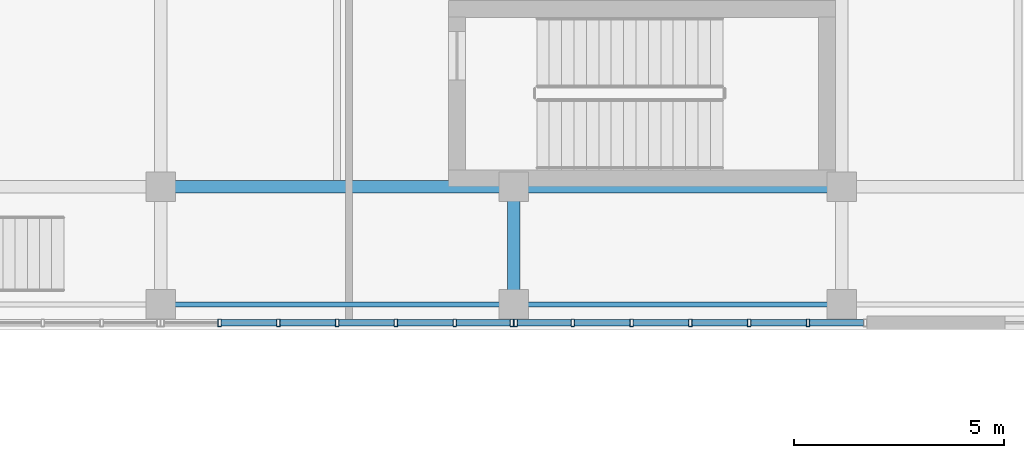
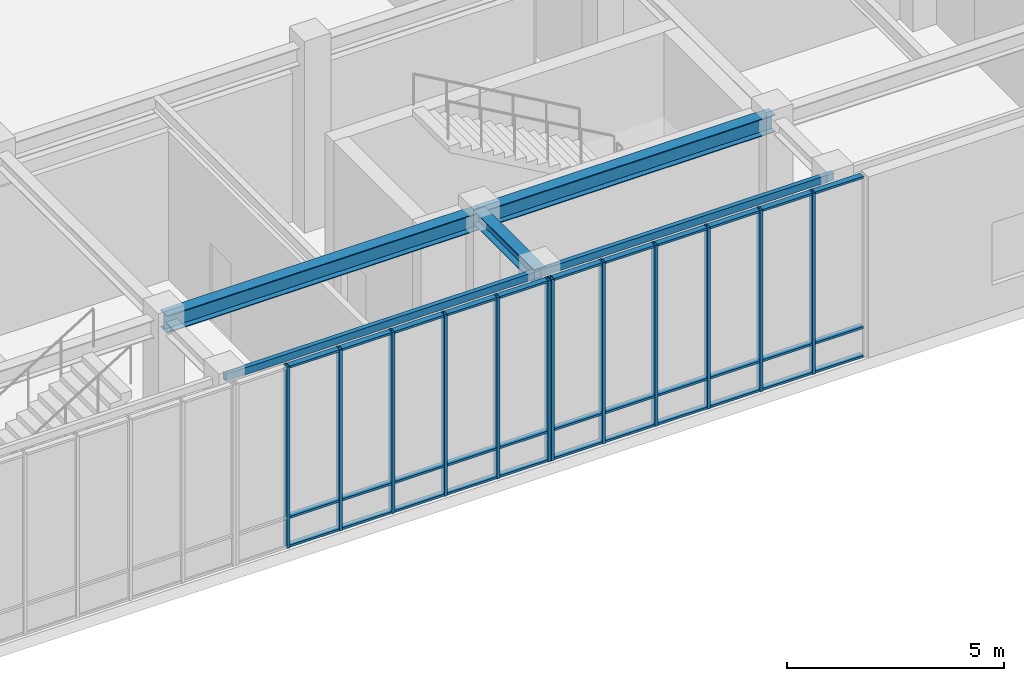
# One storey, part 70 of 122: 45 members, 5 beams, 2 elements without a shape of their own.
"""IFC4 building model written with IfcOpenShell, lengths in metres."""

from ifc_helpers import new_model, si_unit, direction, frame, origin, origin_2d, place, context, subcontext, project, spatial, hollow_rectangle, i_section, extrude, material, layer, layer_set, material_profile, profile_set, type_object, element, aggregate, save


model = new_model("IFC4")

# Units and contexts
model_context = context("Model", 3, precision=1e-05, world=origin(), true_north=direction((0.0, 1.0)))
body_context = subcontext(model_context, "Body", "Model", "MODEL_VIEW")
ifc_project = project(units=[si_unit("LENGTHUNIT", "METRE"), si_unit("AREAUNIT", "SQUARE_METRE"), si_unit("VOLUMEUNIT", "CUBIC_METRE"), si_unit("PLANEANGLEUNIT", "RADIAN"), si_unit("MASSUNIT", "GRAM", prefix="KILO")], contexts=[model_context])

# Site, building, storey
site_placement = place(None, origin())
site = spatial("IfcSite", under=ifc_project, at=site_placement, CompositionType="ELEMENT")
building_placement = place(site_placement, origin())
building = spatial("IfcBuilding", under=site, at=building_placement, Name="Zayran Congress Hotel", CompositionType="ELEMENT")
storey_placement = place(building_placement, origin())
storey = spatial("IfcBuildingStorey", under=building, at=storey_placement, Name="L00", CompositionType="ELEMENT", Elevation=0.0)

# Beams
ifc_material_1 = material(Name="Steel S355", Category="steel")
ifc_material_profile_1 = material_profile(ifc_material_1, i_section(OverallWidth=0.300048828125, OverallDepth=0.489990234375, WebThickness=0.011962890625, FlangeThickness=0.02294921875, at=origin_2d()), Name="HEA 500")
ifc_profile_set_1 = profile_set([ifc_material_profile_1], Name="Steel S355")
beam_type_1 = type_object("IfcBeamType", Name="TP-BM-05", PredefinedType="BEAM", material=ifc_profile_set_1)
beam_1_placement = place(storey_placement, frame((168.0, 9.39990234375, 4.85498046875), z_axis=(1.0, 0.0, 0.0), x_axis=(0.0, 1.0, 0.0)))
element("IfcBeam", 1, at=beam_1_placement, inside=storey, type_object=beam_type_1, Name="BM-V3-L00-1056", PredefinedType="BEAM", context=body_context, shape_type="SweptSolid", body=[
    extrude(i_section(OverallWidth=0.300048828125, OverallDepth=0.489990234375, WebThickness=0.011962890625, FlangeThickness=0.02294921875, at=origin_2d()), origin(), (0.0, 0.0, 1.0), 8.39990234375),
])
beam_2_placement = place(storey_placement, frame((176.39990234375, 9.39990234375, 4.85498046875), z_axis=(1.0, 0.0, 0.0), x_axis=(0.0, 1.0, 0.0)))
element("IfcBeam", 2, at=beam_2_placement, inside=storey, type_object=beam_type_1, Name="BM-V3-L00-1057", PredefinedType="BEAM", context=body_context, shape_type="SweptSolid", body=[
    extrude(i_section(OverallWidth=0.300048828125, OverallDepth=0.489990234375, WebThickness=0.011962890625, FlangeThickness=0.02294921875, at=origin_2d()), origin(), (0.0, 0.0, 1.0), 7.800048828125),
])
ifc_material_profile_2 = material_profile(ifc_material_1, i_section(OverallWidth=0.300048828125, OverallDepth=0.389892578125, WebThickness=0.010986328125, FlangeThickness=0.01904296875, at=origin_2d()), Name="HEA 400")
ifc_profile_set_2 = profile_set([ifc_material_profile_2], Name="Steel S355")
beam_type_2 = type_object("IfcBeamType", Name="TP-BM-06", PredefinedType="BEAM", material=ifc_profile_set_2)
beam_3_placement = place(storey_placement, frame((176.39990234375, 6.60009765625, 4.905029296875), z_axis=(0.0, 1.0, 0.0), x_axis=(-1.0, 0.0, 0.0)))
element("IfcBeam", 3, at=beam_3_placement, inside=storey, type_object=beam_type_2, Name="BM-V3-L00-1087", PredefinedType="BEAM", context=body_context, shape_type="SweptSolid", body=[
    extrude(i_section(OverallWidth=0.300048828125, OverallDepth=0.389892578125, WebThickness=0.010986328125, FlangeThickness=0.01904296875, at=origin_2d()), origin(), (0.0, 0.0, 1.0), 2.7998046875),
])
ifc_material_profile_3 = material_profile(ifc_material_1, hollow_rectangle(XDim=0.1201171875, YDim=0.199951171875, WallThickness=0.008056640625, at=origin_2d()), Name="RHS 200x120x8")
ifc_profile_set_3 = profile_set([ifc_material_profile_3], Name="Steel S355")
beam_type_3 = type_object("IfcBeamType", Name="TP-SP-02", PredefinedType="SPANDREL", material=ifc_profile_set_3)
beam_4_placement = place(storey_placement, frame((168.0, 6.60009765625, 5.0), z_axis=(1.0, 0.0, 0.0), x_axis=(0.0, 1.0, 0.0)))
element("IfcBeam", 4, at=beam_4_placement, inside=storey, type_object=beam_type_3, Name="BM-V3-L00-1051", PredefinedType="SPANDREL", context=body_context, shape_type="SweptSolid", body=[
    extrude(hollow_rectangle(XDim=0.1201171875, YDim=0.199951171875, WallThickness=0.008056640625, at=origin_2d()), origin(), (0.0, 0.0, 1.0), 8.39990234375),
])
beam_5_placement = place(storey_placement, frame((176.39990234375, 6.60009765625, 5.0), z_axis=(1.0, 0.0, 0.0), x_axis=(0.0, 1.0, 0.0)))
element("IfcBeam", 5, at=beam_5_placement, inside=storey, type_object=beam_type_3, Name="BM-V3-L00-1052", PredefinedType="SPANDREL", context=body_context, shape_type="SweptSolid", body=[
    extrude(hollow_rectangle(XDim=0.1201171875, YDim=0.199951171875, WallThickness=0.008056640625, at=origin_2d()), origin(), (0.0, 0.0, 1.0), 7.800048828125),
])

# Curtain wall, members
ifc_material_2 = material(Name="Anodised aluminium and low-E insulated glass", Category="aluminium")
ifc_layer_1 = layer(ifc_material_2, 0.179931640625)
ifc_layer_set_1 = layer_set([ifc_layer_1], Name="Anodised aluminium and low-E insulated glass")
curtain_wall_type_1 = type_object("IfcCurtainWallType", Name="CW-V3S-L00-CW-V31-8390-5100", PredefinedType="USERDEFINED", material=ifc_layer_set_1)
curtain_wall_1_placement = place(storey_placement, origin())
curtain_wall_1 = element("IfcCurtainWall", 6, at=curtain_wall_1_placement, inside=storey, type_object=curtain_wall_type_1, Name="CW-V3S-L00-2", ObjectType="CURTAIN WALL", PredefinedType="USERDEFINED")
ifc_material_3 = material(Name="Anodised aluminium framing", Category="aluminium")
ifc_material_profile_4 = material_profile(ifc_material_3, hollow_rectangle(XDim=0.080078125, YDim=0.179931640625, WallThickness=0.0048828125, at=origin_2d()), Name="RHS 180x80x5")
ifc_profile_set_4 = profile_set([ifc_material_profile_4], Name="Anodised aluminium framing")
member_type_1 = type_object("IfcMemberType", Name="TP-CWM-01", PredefinedType="MULLION", material=ifc_profile_set_4)
member_1_placement = place(storey_placement, frame((169.4033203125, 6.159912109375, 0.0), z_axis=(0.0, 0.0, 1.0), x_axis=(1.0, 0.0, 0.0)))
member_1 = element("IfcMember", 7, at=member_1_placement, type_object=member_type_1, Name="CW-V3S-L00-2-M01", PredefinedType="MULLION", context=body_context, shape_type="SweptSolid", body=[
    extrude(hollow_rectangle(XDim=0.080078125, YDim=0.179931640625, WallThickness=0.0048828125, at=origin_2d()), origin(), (0.0, 0.0, 1.0), 5.10009765625),
])
member_2_placement = place(storey_placement, frame((170.8017578125, 6.159912109375, 0.0), z_axis=(0.0, 0.0, 1.0), x_axis=(1.0, 0.0, 0.0)))
member_2 = element("IfcMember", 8, at=member_2_placement, type_object=member_type_1, Name="CW-V3S-L00-2-M02", PredefinedType="MULLION", context=body_context, shape_type="SweptSolid", body=[
    extrude(hollow_rectangle(XDim=0.080078125, YDim=0.179931640625, WallThickness=0.0048828125, at=origin_2d()), origin(), (0.0, 0.0, 1.0), 5.10009765625),
])
member_3_placement = place(storey_placement, frame((172.199951171875, 6.159912109375, 0.0), z_axis=(0.0, 0.0, 1.0), x_axis=(1.0, 0.0, 0.0)))
member_3 = element("IfcMember", 9, at=member_3_placement, type_object=member_type_1, Name="CW-V3S-L00-2-M03", PredefinedType="MULLION", context=body_context, shape_type="SweptSolid", body=[
    extrude(hollow_rectangle(XDim=0.080078125, YDim=0.179931640625, WallThickness=0.0048828125, at=origin_2d()), origin(), (0.0, 0.0, 1.0), 5.10009765625),
])
member_4_placement = place(storey_placement, frame((173.598388671875, 6.159912109375, 0.0), z_axis=(0.0, 0.0, 1.0), x_axis=(1.0, 0.0, 0.0)))
member_4 = element("IfcMember", 10, at=member_4_placement, type_object=member_type_1, Name="CW-V3S-L00-2-M04", PredefinedType="MULLION", context=body_context, shape_type="SweptSolid", body=[
    extrude(hollow_rectangle(XDim=0.080078125, YDim=0.179931640625, WallThickness=0.0048828125, at=origin_2d()), origin(), (0.0, 0.0, 1.0), 5.10009765625),
])
member_5_placement = place(storey_placement, frame((174.99658203125, 6.159912109375, 0.0), z_axis=(0.0, 0.0, 1.0), x_axis=(1.0, 0.0, 0.0)))
member_5 = element("IfcMember", 11, at=member_5_placement, type_object=member_type_1, Name="CW-V3S-L00-2-M05", PredefinedType="MULLION", context=body_context, shape_type="SweptSolid", body=[
    extrude(hollow_rectangle(XDim=0.080078125, YDim=0.179931640625, WallThickness=0.0048828125, at=origin_2d()), origin(), (0.0, 0.0, 1.0), 5.10009765625),
])
member_6_placement = place(storey_placement, frame((176.35498046875, 6.159912109375, 0.0), z_axis=(0.0, 0.0, 1.0), x_axis=(1.0, 0.0, 0.0)))
member_6 = element("IfcMember", 12, at=member_6_placement, type_object=member_type_1, Name="CW-V3S-L00-2-M06", PredefinedType="MULLION", context=body_context, shape_type="SweptSolid", body=[
    extrude(hollow_rectangle(XDim=0.080078125, YDim=0.179931640625, WallThickness=0.0048828125, at=origin_2d()), origin(), (0.0, 0.0, 1.0), 5.10009765625),
])

ifc_layer_2 = layer(ifc_material_2, 0.179931640625)
ifc_layer_set_2 = layer_set([ifc_layer_2], Name="Anodised aluminium and low-E insulated glass")
curtain_wall_type_2 = type_object("IfcCurtainWallType", Name="CW-V3S-L00-CW-V32-8395-5100", PredefinedType="USERDEFINED", material=ifc_layer_set_2)
curtain_wall_2_placement = place(storey_placement, origin())
curtain_wall_2 = element("IfcCurtainWall", 13, at=curtain_wall_2_placement, inside=storey, type_object=curtain_wall_type_2, Name="CW-V3S-L00-3", ObjectType="CURTAIN WALL", PredefinedType="USERDEFINED")
member_7_placement = place(storey_placement, frame((176.445068359375, 6.159912109375, 0.0), z_axis=(0.0, 0.0, 1.0), x_axis=(1.0, 0.0, 0.0)))
member_7 = element("IfcMember", 14, at=member_7_placement, type_object=member_type_1, Name="CW-V3S-L00-3-M00", PredefinedType="MULLION", context=body_context, shape_type="SweptSolid", body=[
    extrude(hollow_rectangle(XDim=0.080078125, YDim=0.179931640625, WallThickness=0.0048828125, at=origin_2d()), origin(), (0.0, 0.0, 1.0), 5.10009765625),
])
member_8_placement = place(storey_placement, frame((177.80419921875, 6.159912109375, 0.0), z_axis=(0.0, 0.0, 1.0), x_axis=(1.0, 0.0, 0.0)))
member_8 = element("IfcMember", 15, at=member_8_placement, type_object=member_type_1, Name="CW-V3S-L00-3-M01", PredefinedType="MULLION", context=body_context, shape_type="SweptSolid", body=[
    extrude(hollow_rectangle(XDim=0.080078125, YDim=0.179931640625, WallThickness=0.0048828125, at=origin_2d()), origin(), (0.0, 0.0, 1.0), 5.10009765625),
])
member_9_placement = place(storey_placement, frame((179.203369140625, 6.159912109375, 0.0), z_axis=(0.0, 0.0, 1.0), x_axis=(1.0, 0.0, 0.0)))
member_9 = element("IfcMember", 16, at=member_9_placement, type_object=member_type_1, Name="CW-V3S-L00-3-M02", PredefinedType="MULLION", context=body_context, shape_type="SweptSolid", body=[
    extrude(hollow_rectangle(XDim=0.080078125, YDim=0.179931640625, WallThickness=0.0048828125, at=origin_2d()), origin(), (0.0, 0.0, 1.0), 5.10009765625),
])
member_10_placement = place(storey_placement, frame((180.6025390625, 6.159912109375, 0.0), z_axis=(0.0, 0.0, 1.0), x_axis=(1.0, 0.0, 0.0)))
member_10 = element("IfcMember", 17, at=member_10_placement, type_object=member_type_1, Name="CW-V3S-L00-3-M03", PredefinedType="MULLION", context=body_context, shape_type="SweptSolid", body=[
    extrude(hollow_rectangle(XDim=0.080078125, YDim=0.179931640625, WallThickness=0.0048828125, at=origin_2d()), origin(), (0.0, 0.0, 1.0), 5.10009765625),
])
member_11_placement = place(storey_placement, frame((182.001708984375, 6.159912109375, 0.0), z_axis=(0.0, 0.0, 1.0), x_axis=(1.0, 0.0, 0.0)))
member_11 = element("IfcMember", 18, at=member_11_placement, type_object=member_type_1, Name="CW-V3S-L00-3-M04", PredefinedType="MULLION", context=body_context, shape_type="SweptSolid", body=[
    extrude(hollow_rectangle(XDim=0.080078125, YDim=0.179931640625, WallThickness=0.0048828125, at=origin_2d()), origin(), (0.0, 0.0, 1.0), 5.10009765625),
])
member_12_placement = place(storey_placement, frame((183.40087890625, 6.159912109375, 0.0), z_axis=(0.0, 0.0, 1.0), x_axis=(1.0, 0.0, 0.0)))
member_12 = element("IfcMember", 19, at=member_12_placement, type_object=member_type_1, Name="CW-V3S-L00-3-M05", PredefinedType="MULLION", context=body_context, shape_type="SweptSolid", body=[
    extrude(hollow_rectangle(XDim=0.080078125, YDim=0.179931640625, WallThickness=0.0048828125, at=origin_2d()), origin(), (0.0, 0.0, 1.0), 5.10009765625),
])

# Member
ifc_material_profile_5 = material_profile(ifc_material_3, hollow_rectangle(XDim=0.06005859375, YDim=0.14990234375, WallThickness=0.00390625, at=origin_2d()), Name="RHS 150x60x4")
ifc_profile_set_5 = profile_set([ifc_material_profile_5], Name="Anodised aluminium framing")
member_type_2 = type_object("IfcMemberType", Name="TP-CWT-01", PredefinedType="USERDEFINED", material=ifc_profile_set_5)
member_13_placement = place(storey_placement, frame((169.443359375, 6.159912109375, 0.030029296875), z_axis=(1.0, 0.0, 0.0), x_axis=(0.0, 0.0, 1.0)))
member_13 = element("IfcMember", 20, at=member_13_placement, type_object=member_type_2, Name="CW-V3S-L00-2-T01-0", ObjectType="TRANSOM", PredefinedType="USERDEFINED", context=body_context, shape_type="SweptSolid", body=[
    extrude(hollow_rectangle(XDim=0.06005859375, YDim=0.14990234375, WallThickness=0.00390625, at=origin_2d()), origin(), (0.0, 0.0, 1.0), 1.318359375),
])

member_14_placement = place(storey_placement, frame((169.443359375, 6.159912109375, 0.840087890625), z_axis=(1.0, 0.0, 0.0), x_axis=(0.0, 0.0, 1.0)))
member_14 = element("IfcMember", 21, at=member_14_placement, type_object=member_type_2, Name="CW-V3S-L00-2-T01-1", ObjectType="TRANSOM", PredefinedType="USERDEFINED", context=body_context, shape_type="SweptSolid", body=[
    extrude(hollow_rectangle(XDim=0.06005859375, YDim=0.14990234375, WallThickness=0.00390625, at=origin_2d()), origin(), (0.0, 0.0, 1.0), 1.318359375),
])

member_15_placement = place(storey_placement, frame((169.443359375, 6.159912109375, 5.070068359375), z_axis=(1.0, 0.0, 0.0), x_axis=(0.0, 0.0, 1.0)))
member_15 = element("IfcMember", 22, at=member_15_placement, type_object=member_type_2, Name="CW-V3S-L00-2-T01-2", ObjectType="TRANSOM", PredefinedType="USERDEFINED", context=body_context, shape_type="SweptSolid", body=[
    extrude(hollow_rectangle(XDim=0.06005859375, YDim=0.14990234375, WallThickness=0.00390625, at=origin_2d()), origin(), (0.0, 0.0, 1.0), 1.318359375),
])

member_16_placement = place(storey_placement, frame((170.841796875, 6.159912109375, 0.030029296875), z_axis=(1.0, 0.0, 0.0), x_axis=(0.0, 0.0, 1.0)))
member_16 = element("IfcMember", 23, at=member_16_placement, type_object=member_type_2, Name="CW-V3S-L00-2-T02-0", ObjectType="TRANSOM", PredefinedType="USERDEFINED", context=body_context, shape_type="SweptSolid", body=[
    extrude(hollow_rectangle(XDim=0.06005859375, YDim=0.14990234375, WallThickness=0.00390625, at=origin_2d()), origin(), (0.0, 0.0, 1.0), 1.318115234375),
])

member_17_placement = place(storey_placement, frame((170.841796875, 6.159912109375, 0.840087890625), z_axis=(1.0, 0.0, 0.0), x_axis=(0.0, 0.0, 1.0)))
member_17 = element("IfcMember", 24, at=member_17_placement, type_object=member_type_2, Name="CW-V3S-L00-2-T02-1", ObjectType="TRANSOM", PredefinedType="USERDEFINED", context=body_context, shape_type="SweptSolid", body=[
    extrude(hollow_rectangle(XDim=0.06005859375, YDim=0.14990234375, WallThickness=0.00390625, at=origin_2d()), origin(), (0.0, 0.0, 1.0), 1.318115234375),
])

member_18_placement = place(storey_placement, frame((170.841796875, 6.159912109375, 5.070068359375), z_axis=(1.0, 0.0, 0.0), x_axis=(0.0, 0.0, 1.0)))
member_18 = element("IfcMember", 25, at=member_18_placement, type_object=member_type_2, Name="CW-V3S-L00-2-T02-2", ObjectType="TRANSOM", PredefinedType="USERDEFINED", context=body_context, shape_type="SweptSolid", body=[
    extrude(hollow_rectangle(XDim=0.06005859375, YDim=0.14990234375, WallThickness=0.00390625, at=origin_2d()), origin(), (0.0, 0.0, 1.0), 1.318115234375),
])

member_19_placement = place(storey_placement, frame((172.239990234375, 6.159912109375, 0.030029296875), z_axis=(1.0, 0.0, 0.0), x_axis=(0.0, 0.0, 1.0)))
member_19 = element("IfcMember", 26, at=member_19_placement, type_object=member_type_2, Name="CW-V3S-L00-2-T03-0", ObjectType="TRANSOM", PredefinedType="USERDEFINED", context=body_context, shape_type="SweptSolid", body=[
    extrude(hollow_rectangle(XDim=0.06005859375, YDim=0.14990234375, WallThickness=0.00390625, at=origin_2d()), origin(), (0.0, 0.0, 1.0), 1.318359375),
])

member_20_placement = place(storey_placement, frame((172.239990234375, 6.159912109375, 0.840087890625), z_axis=(1.0, 0.0, 0.0), x_axis=(0.0, 0.0, 1.0)))
member_20 = element("IfcMember", 27, at=member_20_placement, type_object=member_type_2, Name="CW-V3S-L00-2-T03-1", ObjectType="TRANSOM", PredefinedType="USERDEFINED", context=body_context, shape_type="SweptSolid", body=[
    extrude(hollow_rectangle(XDim=0.06005859375, YDim=0.14990234375, WallThickness=0.00390625, at=origin_2d()), origin(), (0.0, 0.0, 1.0), 1.318359375),
])

member_21_placement = place(storey_placement, frame((172.239990234375, 6.159912109375, 5.070068359375), z_axis=(1.0, 0.0, 0.0), x_axis=(0.0, 0.0, 1.0)))
member_21 = element("IfcMember", 28, at=member_21_placement, type_object=member_type_2, Name="CW-V3S-L00-2-T03-2", ObjectType="TRANSOM", PredefinedType="USERDEFINED", context=body_context, shape_type="SweptSolid", body=[
    extrude(hollow_rectangle(XDim=0.06005859375, YDim=0.14990234375, WallThickness=0.00390625, at=origin_2d()), origin(), (0.0, 0.0, 1.0), 1.318359375),
])

member_22_placement = place(storey_placement, frame((173.63818359375, 6.159912109375, 0.030029296875), z_axis=(1.0, 0.0, 0.0), x_axis=(0.0, 0.0, 1.0)))
member_22 = element("IfcMember", 29, at=member_22_placement, type_object=member_type_2, Name="CW-V3S-L00-2-T04-0", ObjectType="TRANSOM", PredefinedType="USERDEFINED", context=body_context, shape_type="SweptSolid", body=[
    extrude(hollow_rectangle(XDim=0.06005859375, YDim=0.14990234375, WallThickness=0.00390625, at=origin_2d()), origin(), (0.0, 0.0, 1.0), 1.318603515625),
])

member_23_placement = place(storey_placement, frame((173.63818359375, 6.159912109375, 0.840087890625), z_axis=(1.0, 0.0, 0.0), x_axis=(0.0, 0.0, 1.0)))
member_23 = element("IfcMember", 30, at=member_23_placement, type_object=member_type_2, Name="CW-V3S-L00-2-T04-1", ObjectType="TRANSOM", PredefinedType="USERDEFINED", context=body_context, shape_type="SweptSolid", body=[
    extrude(hollow_rectangle(XDim=0.06005859375, YDim=0.14990234375, WallThickness=0.00390625, at=origin_2d()), origin(), (0.0, 0.0, 1.0), 1.318603515625),
])

member_24_placement = place(storey_placement, frame((173.63818359375, 6.159912109375, 5.070068359375), z_axis=(1.0, 0.0, 0.0), x_axis=(0.0, 0.0, 1.0)))
member_24 = element("IfcMember", 31, at=member_24_placement, type_object=member_type_2, Name="CW-V3S-L00-2-T04-2", ObjectType="TRANSOM", PredefinedType="USERDEFINED", context=body_context, shape_type="SweptSolid", body=[
    extrude(hollow_rectangle(XDim=0.06005859375, YDim=0.14990234375, WallThickness=0.00390625, at=origin_2d()), origin(), (0.0, 0.0, 1.0), 1.318603515625),
])

member_25_placement = place(storey_placement, frame((175.03662109375, 6.159912109375, 0.030029296875), z_axis=(1.0, 0.0, 0.0), x_axis=(0.0, 0.0, 1.0)))
member_25 = element("IfcMember", 32, at=member_25_placement, type_object=member_type_2, Name="CW-V3S-L00-2-T05-0", ObjectType="TRANSOM", PredefinedType="USERDEFINED", context=body_context, shape_type="SweptSolid", body=[
    extrude(hollow_rectangle(XDim=0.06005859375, YDim=0.14990234375, WallThickness=0.00390625, at=origin_2d()), origin(), (0.0, 0.0, 1.0), 1.2783203125),
])

member_26_placement = place(storey_placement, frame((175.03662109375, 6.159912109375, 0.840087890625), z_axis=(1.0, 0.0, 0.0), x_axis=(0.0, 0.0, 1.0)))
member_26 = element("IfcMember", 33, at=member_26_placement, type_object=member_type_2, Name="CW-V3S-L00-2-T05-1", ObjectType="TRANSOM", PredefinedType="USERDEFINED", context=body_context, shape_type="SweptSolid", body=[
    extrude(hollow_rectangle(XDim=0.06005859375, YDim=0.14990234375, WallThickness=0.00390625, at=origin_2d()), origin(), (0.0, 0.0, 1.0), 1.2783203125),
])

member_27_placement = place(storey_placement, frame((175.03662109375, 6.159912109375, 5.070068359375), z_axis=(1.0, 0.0, 0.0), x_axis=(0.0, 0.0, 1.0)))
member_27 = element("IfcMember", 34, at=member_27_placement, type_object=member_type_2, Name="CW-V3S-L00-2-T05-2", ObjectType="TRANSOM", PredefinedType="USERDEFINED", context=body_context, shape_type="SweptSolid", body=[
    extrude(hollow_rectangle(XDim=0.06005859375, YDim=0.14990234375, WallThickness=0.00390625, at=origin_2d()), origin(), (0.0, 0.0, 1.0), 1.2783203125),
])

aggregate(curtain_wall_1, [member_1, member_2, member_3, member_4, member_5, member_6, member_13, member_14, member_15, member_16, member_17, member_18, member_19, member_20, member_21, member_22, member_23, member_24, member_25, member_26, member_27])

member_28_placement = place(storey_placement, frame((176.485107421875, 6.159912109375, 0.030029296875), z_axis=(1.0, 0.0, 0.0), x_axis=(0.0, 0.0, 1.0)))
member_28 = element("IfcMember", 35, at=member_28_placement, type_object=member_type_2, Name="CW-V3S-L00-3-T00-0", ObjectType="TRANSOM", PredefinedType="USERDEFINED", context=body_context, shape_type="SweptSolid", body=[
    extrude(hollow_rectangle(XDim=0.06005859375, YDim=0.14990234375, WallThickness=0.00390625, at=origin_2d()), origin(), (0.0, 0.0, 1.0), 1.279052734375),
])

member_29_placement = place(storey_placement, frame((176.485107421875, 6.159912109375, 0.840087890625), z_axis=(1.0, 0.0, 0.0), x_axis=(0.0, 0.0, 1.0)))
member_29 = element("IfcMember", 36, at=member_29_placement, type_object=member_type_2, Name="CW-V3S-L00-3-T00-1", ObjectType="TRANSOM", PredefinedType="USERDEFINED", context=body_context, shape_type="SweptSolid", body=[
    extrude(hollow_rectangle(XDim=0.06005859375, YDim=0.14990234375, WallThickness=0.00390625, at=origin_2d()), origin(), (0.0, 0.0, 1.0), 1.279052734375),
])

member_30_placement = place(storey_placement, frame((176.485107421875, 6.159912109375, 5.070068359375), z_axis=(1.0, 0.0, 0.0), x_axis=(0.0, 0.0, 1.0)))
member_30 = element("IfcMember", 37, at=member_30_placement, type_object=member_type_2, Name="CW-V3S-L00-3-T00-2", ObjectType="TRANSOM", PredefinedType="USERDEFINED", context=body_context, shape_type="SweptSolid", body=[
    extrude(hollow_rectangle(XDim=0.06005859375, YDim=0.14990234375, WallThickness=0.00390625, at=origin_2d()), origin(), (0.0, 0.0, 1.0), 1.279052734375),
])

member_31_placement = place(storey_placement, frame((177.84423828125, 6.159912109375, 0.030029296875), z_axis=(1.0, 0.0, 0.0), x_axis=(0.0, 0.0, 1.0)))
member_31 = element("IfcMember", 38, at=member_31_placement, type_object=member_type_2, Name="CW-V3S-L00-3-T01-0", ObjectType="TRANSOM", PredefinedType="USERDEFINED", context=body_context, shape_type="SweptSolid", body=[
    extrude(hollow_rectangle(XDim=0.06005859375, YDim=0.14990234375, WallThickness=0.00390625, at=origin_2d()), origin(), (0.0, 0.0, 1.0), 1.319091796875),
])

member_32_placement = place(storey_placement, frame((177.84423828125, 6.159912109375, 0.840087890625), z_axis=(1.0, 0.0, 0.0), x_axis=(0.0, 0.0, 1.0)))
member_32 = element("IfcMember", 39, at=member_32_placement, type_object=member_type_2, Name="CW-V3S-L00-3-T01-1", ObjectType="TRANSOM", PredefinedType="USERDEFINED", context=body_context, shape_type="SweptSolid", body=[
    extrude(hollow_rectangle(XDim=0.06005859375, YDim=0.14990234375, WallThickness=0.00390625, at=origin_2d()), origin(), (0.0, 0.0, 1.0), 1.319091796875),
])

member_33_placement = place(storey_placement, frame((177.84423828125, 6.159912109375, 5.070068359375), z_axis=(1.0, 0.0, 0.0), x_axis=(0.0, 0.0, 1.0)))
member_33 = element("IfcMember", 40, at=member_33_placement, type_object=member_type_2, Name="CW-V3S-L00-3-T01-2", ObjectType="TRANSOM", PredefinedType="USERDEFINED", context=body_context, shape_type="SweptSolid", body=[
    extrude(hollow_rectangle(XDim=0.06005859375, YDim=0.14990234375, WallThickness=0.00390625, at=origin_2d()), origin(), (0.0, 0.0, 1.0), 1.319091796875),
])

member_34_placement = place(storey_placement, frame((179.243408203125, 6.159912109375, 0.030029296875), z_axis=(1.0, 0.0, 0.0), x_axis=(0.0, 0.0, 1.0)))
member_34 = element("IfcMember", 41, at=member_34_placement, type_object=member_type_2, Name="CW-V3S-L00-3-T02-0", ObjectType="TRANSOM", PredefinedType="USERDEFINED", context=body_context, shape_type="SweptSolid", body=[
    extrude(hollow_rectangle(XDim=0.06005859375, YDim=0.14990234375, WallThickness=0.00390625, at=origin_2d()), origin(), (0.0, 0.0, 1.0), 1.319091796875),
])

member_35_placement = place(storey_placement, frame((179.243408203125, 6.159912109375, 0.840087890625), z_axis=(1.0, 0.0, 0.0), x_axis=(0.0, 0.0, 1.0)))
member_35 = element("IfcMember", 42, at=member_35_placement, type_object=member_type_2, Name="CW-V3S-L00-3-T02-1", ObjectType="TRANSOM", PredefinedType="USERDEFINED", context=body_context, shape_type="SweptSolid", body=[
    extrude(hollow_rectangle(XDim=0.06005859375, YDim=0.14990234375, WallThickness=0.00390625, at=origin_2d()), origin(), (0.0, 0.0, 1.0), 1.319091796875),
])

member_36_placement = place(storey_placement, frame((179.243408203125, 6.159912109375, 5.070068359375), z_axis=(1.0, 0.0, 0.0), x_axis=(0.0, 0.0, 1.0)))
member_36 = element("IfcMember", 43, at=member_36_placement, type_object=member_type_2, Name="CW-V3S-L00-3-T02-2", ObjectType="TRANSOM", PredefinedType="USERDEFINED", context=body_context, shape_type="SweptSolid", body=[
    extrude(hollow_rectangle(XDim=0.06005859375, YDim=0.14990234375, WallThickness=0.00390625, at=origin_2d()), origin(), (0.0, 0.0, 1.0), 1.319091796875),
])

member_37_placement = place(storey_placement, frame((180.642578125, 6.159912109375, 0.030029296875), z_axis=(1.0, 0.0, 0.0), x_axis=(0.0, 0.0, 1.0)))
member_37 = element("IfcMember", 44, at=member_37_placement, type_object=member_type_2, Name="CW-V3S-L00-3-T03-0", ObjectType="TRANSOM", PredefinedType="USERDEFINED", context=body_context, shape_type="SweptSolid", body=[
    extrude(hollow_rectangle(XDim=0.06005859375, YDim=0.14990234375, WallThickness=0.00390625, at=origin_2d()), origin(), (0.0, 0.0, 1.0), 1.319091796875),
])

member_38_placement = place(storey_placement, frame((180.642578125, 6.159912109375, 0.840087890625), z_axis=(1.0, 0.0, 0.0), x_axis=(0.0, 0.0, 1.0)))
member_38 = element("IfcMember", 45, at=member_38_placement, type_object=member_type_2, Name="CW-V3S-L00-3-T03-1", ObjectType="TRANSOM", PredefinedType="USERDEFINED", context=body_context, shape_type="SweptSolid", body=[
    extrude(hollow_rectangle(XDim=0.06005859375, YDim=0.14990234375, WallThickness=0.00390625, at=origin_2d()), origin(), (0.0, 0.0, 1.0), 1.319091796875),
])

member_39_placement = place(storey_placement, frame((180.642578125, 6.159912109375, 5.070068359375), z_axis=(1.0, 0.0, 0.0), x_axis=(0.0, 0.0, 1.0)))
member_39 = element("IfcMember", 46, at=member_39_placement, type_object=member_type_2, Name="CW-V3S-L00-3-T03-2", ObjectType="TRANSOM", PredefinedType="USERDEFINED", context=body_context, shape_type="SweptSolid", body=[
    extrude(hollow_rectangle(XDim=0.06005859375, YDim=0.14990234375, WallThickness=0.00390625, at=origin_2d()), origin(), (0.0, 0.0, 1.0), 1.319091796875),
])

member_40_placement = place(storey_placement, frame((182.041748046875, 6.159912109375, 0.030029296875), z_axis=(1.0, 0.0, 0.0), x_axis=(0.0, 0.0, 1.0)))
member_40 = element("IfcMember", 47, at=member_40_placement, type_object=member_type_2, Name="CW-V3S-L00-3-T04-0", ObjectType="TRANSOM", PredefinedType="USERDEFINED", context=body_context, shape_type="SweptSolid", body=[
    extrude(hollow_rectangle(XDim=0.06005859375, YDim=0.14990234375, WallThickness=0.00390625, at=origin_2d()), origin(), (0.0, 0.0, 1.0), 1.319091796875),
])

member_41_placement = place(storey_placement, frame((182.041748046875, 6.159912109375, 0.840087890625), z_axis=(1.0, 0.0, 0.0), x_axis=(0.0, 0.0, 1.0)))
member_41 = element("IfcMember", 48, at=member_41_placement, type_object=member_type_2, Name="CW-V3S-L00-3-T04-1", ObjectType="TRANSOM", PredefinedType="USERDEFINED", context=body_context, shape_type="SweptSolid", body=[
    extrude(hollow_rectangle(XDim=0.06005859375, YDim=0.14990234375, WallThickness=0.00390625, at=origin_2d()), origin(), (0.0, 0.0, 1.0), 1.319091796875),
])

member_42_placement = place(storey_placement, frame((182.041748046875, 6.159912109375, 5.070068359375), z_axis=(1.0, 0.0, 0.0), x_axis=(0.0, 0.0, 1.0)))
member_42 = element("IfcMember", 49, at=member_42_placement, type_object=member_type_2, Name="CW-V3S-L00-3-T04-2", ObjectType="TRANSOM", PredefinedType="USERDEFINED", context=body_context, shape_type="SweptSolid", body=[
    extrude(hollow_rectangle(XDim=0.06005859375, YDim=0.14990234375, WallThickness=0.00390625, at=origin_2d()), origin(), (0.0, 0.0, 1.0), 1.319091796875),
])

member_43_placement = place(storey_placement, frame((183.44091796875, 6.159912109375, 0.030029296875), z_axis=(1.0, 0.0, 0.0), x_axis=(0.0, 0.0, 1.0)))
member_43 = element("IfcMember", 50, at=member_43_placement, type_object=member_type_2, Name="CW-V3S-L00-3-T05-0", ObjectType="TRANSOM", PredefinedType="USERDEFINED", context=body_context, shape_type="SweptSolid", body=[
    extrude(hollow_rectangle(XDim=0.06005859375, YDim=0.14990234375, WallThickness=0.00390625, at=origin_2d()), origin(), (0.0, 0.0, 1.0), 1.279052734375),
])

member_44_placement = place(storey_placement, frame((183.44091796875, 6.159912109375, 0.840087890625), z_axis=(1.0, 0.0, 0.0), x_axis=(0.0, 0.0, 1.0)))
member_44 = element("IfcMember", 51, at=member_44_placement, type_object=member_type_2, Name="CW-V3S-L00-3-T05-1", ObjectType="TRANSOM", PredefinedType="USERDEFINED", context=body_context, shape_type="SweptSolid", body=[
    extrude(hollow_rectangle(XDim=0.06005859375, YDim=0.14990234375, WallThickness=0.00390625, at=origin_2d()), origin(), (0.0, 0.0, 1.0), 1.279052734375),
])

member_45_placement = place(storey_placement, frame((183.44091796875, 6.159912109375, 5.070068359375), z_axis=(1.0, 0.0, 0.0), x_axis=(0.0, 0.0, 1.0)))
member_45 = element("IfcMember", 52, at=member_45_placement, type_object=member_type_2, Name="CW-V3S-L00-3-T05-2", ObjectType="TRANSOM", PredefinedType="USERDEFINED", context=body_context, shape_type="SweptSolid", body=[
    extrude(hollow_rectangle(XDim=0.06005859375, YDim=0.14990234375, WallThickness=0.00390625, at=origin_2d()), origin(), (0.0, 0.0, 1.0), 1.279052734375),
])

aggregate(curtain_wall_2, [member_7, member_8, member_9, member_10, member_11, member_12, member_28, member_29, member_30, member_31, member_32, member_33, member_34, member_35, member_36, member_37, member_38, member_39, member_40, member_41, member_42, member_43, member_44, member_45])

save(model, "model.ifc")
